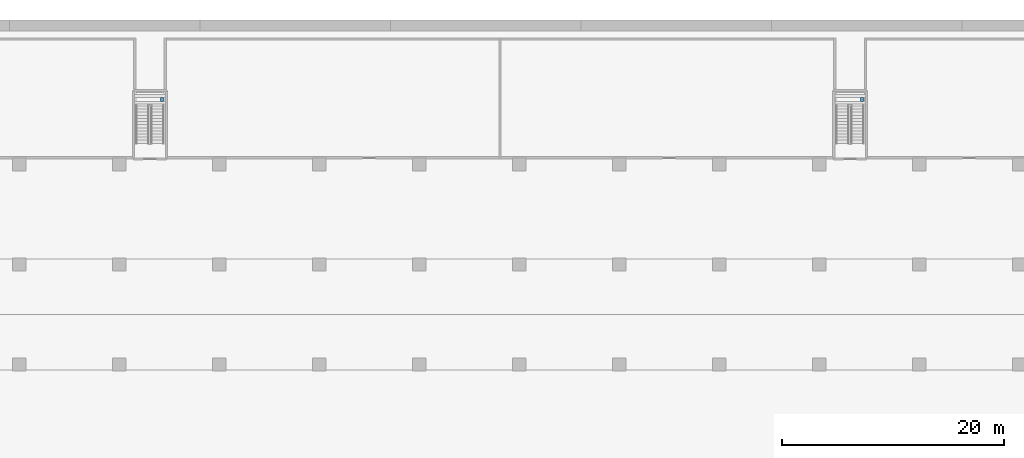
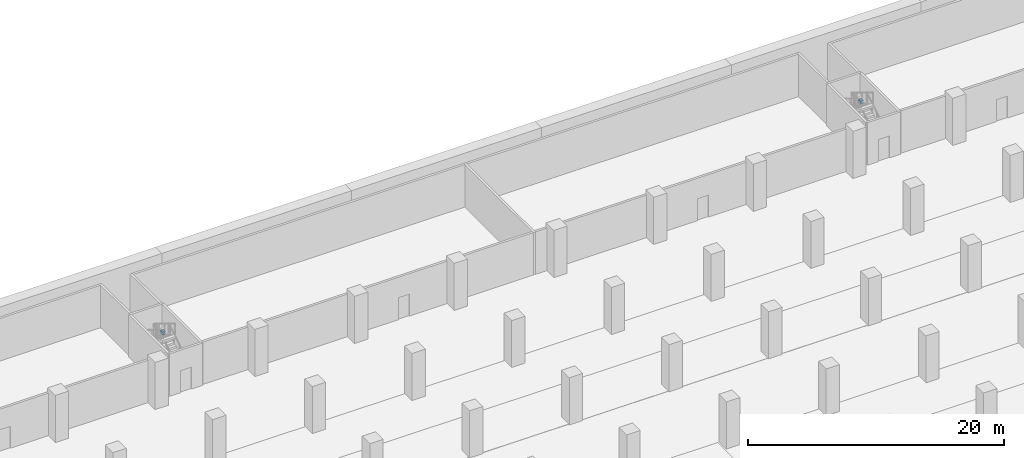
# One storey, part 6 of 34: 2 beams.
"""IFC4 building model written with IfcOpenShell, lengths in metres."""

from ifc_helpers import new_model, si_unit, direction, frame, origin, origin_2d, place, context, subcontext, project, spatial, rectangle, extrude, material, material_profile, profile_set, type_object, element, save


model = new_model("IFC4")

# Units and contexts
model_context = context("Model", 3, precision=1e-05, world=origin(), true_north=direction((0.0, 1.0)))
body_context = subcontext(model_context, "Body", "Model", "MODEL_VIEW")
ifc_project = project(units=[si_unit("LENGTHUNIT", "METRE"), si_unit("AREAUNIT", "SQUARE_METRE"), si_unit("VOLUMEUNIT", "CUBIC_METRE"), si_unit("PLANEANGLEUNIT", "RADIAN"), si_unit("MASSUNIT", "GRAM", prefix="KILO")], contexts=[model_context])

# Site, building, storey
site_placement = place(None, origin())
site = spatial("IfcSite", under=ifc_project, at=site_placement, CompositionType="ELEMENT")
building_placement = place(site_placement, origin())
building = spatial("IfcBuilding", under=site, at=building_placement, Name="Ogive Gate Towers", CompositionType="ELEMENT")
storey_placement = place(building_placement, frame((0.0, 0.0, -4.5)))
storey = spatial("IfcBuildingStorey", under=building, at=storey_placement, Name="B1", CompositionType="ELEMENT", Elevation=-4.5)

# Beams
ifc_material = material(Name="Concrete C40/50", Category="concrete")
ifc_material_profile = material_profile(ifc_material, rectangle(XDim=0.25, YDim=0.300048828125, at=origin_2d()), Name="RC 250x300")
ifc_profile_set = profile_set([ifc_material_profile], Name="Concrete C40/50")
beam_type = type_object("IfcBeamType", Name="Landing bearer RC 250x300 (stair)", PredefinedType="BEAM", material=ifc_profile_set)
for number, where, z_axis, x_axis, name in (
    (1, (30.85009765625, 68.68505859375, 1.89990234375), (0.0, 1.0, 0.0), (-1.0, 0.0, 0.0), "CS3 B1 landing 1 bearer 3"),
    (2, (93.85009765625, 68.68505859375, 1.89990234375), (0.0, 1.0, 0.0), (-1.0, 0.0, 0.0), "CS4 B1 landing 1 bearer 3"),
):
    element("IfcBeam", number, at=place(storey_placement, frame(where, z_axis=z_axis, x_axis=x_axis)), inside=storey, type_object=beam_type, Name=name, PredefinedType="BEAM", context=body_context, shape_type="SweptSolid", body=[
        extrude(rectangle(XDim=0.25, YDim=0.300048828125, at=origin_2d()), origin(), (0.0, 0.0, 1.0), 0.349853515625),
    ])

save(model, "model.ifc")
